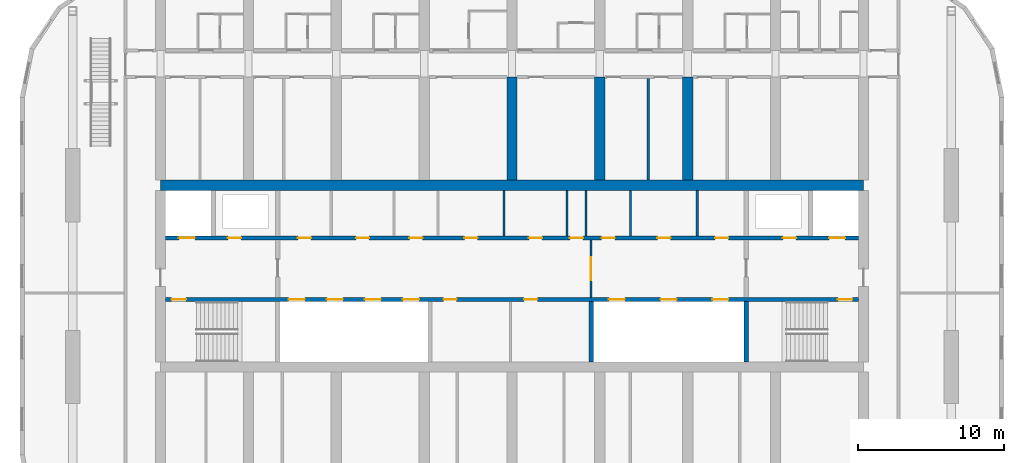
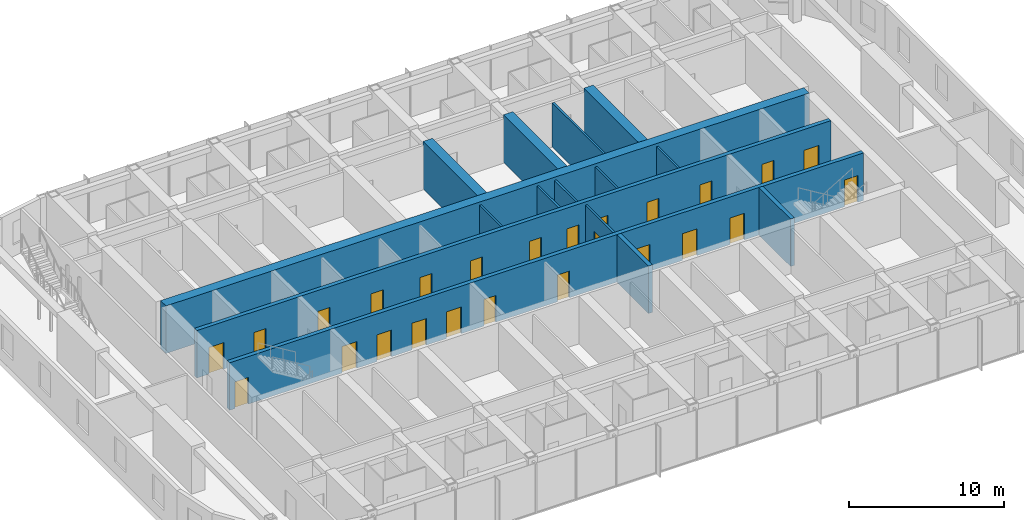
# One storey, part 16 of 27: 25 doors, 15 walls, 25 openings.
"""IFC4 building model written with IfcOpenShell, lengths in metres."""

from ifc_helpers import new_model, si_unit, direction, frame, frame_2d, origin, place, context, subcontext, project, spatial, rectangle, extrude, material, layer, layer_set, type_object, element, fill, save


model = new_model("IFC4")

# Units and contexts
model_context = context("Model", 3, precision=1e-05, world=origin(), true_north=direction((0.0, 1.0)))
body_context = subcontext(model_context, "Body", "Model", "MODEL_VIEW")
ifc_project = project(units=[si_unit("LENGTHUNIT", "METRE"), si_unit("AREAUNIT", "SQUARE_METRE"), si_unit("VOLUMEUNIT", "CUBIC_METRE"), si_unit("PLANEANGLEUNIT", "RADIAN"), si_unit("MASSUNIT", "GRAM", prefix="KILO")], contexts=[model_context])

# Site, building, storey
site_placement = place(None, origin())
site = spatial("IfcSite", under=ifc_project, at=site_placement, CompositionType="ELEMENT")
building_placement = place(site_placement, origin())
building = spatial("IfcBuilding", under=site, at=building_placement, Name="Orbita Commons", CompositionType="ELEMENT")
storey_placement = place(building_placement, frame((0.0, 0.0, 246.550048828125)))
storey = spatial("IfcBuildingStorey", under=building, at=storey_placement, Name="L61", CompositionType="ELEMENT", Elevation=246.550048828125)

# Wall, openings, doors
ifc_material_1 = material(Name="Concrete C50/60", Category="concrete")
ifc_layer_1 = layer(ifc_material_1, 0.300048828125)
ifc_layer_set_1 = layer_set([ifc_layer_1], Name="Concrete C50/60")
wall_type_1 = type_object("IfcWallType", Name="Core inner wall 300 C50/60", PredefinedType="SHEAR", material=ifc_layer_set_1)
wall_1_placement = place(storey_placement, frame((18.35009765625, 30.39990234375, 0.0), z_axis=(0.0, 0.0, 1.0), x_axis=(1.0, 0.0, 0.0)))
wall_1 = element("IfcWall", 1, at=wall_1_placement, inside=storey, type_object=wall_type_1, Name="Lobby wall south L61", PredefinedType="SHEAR", context=body_context, shape_type="SweptSolid", body=[
    extrude(rectangle(XDim=47.2998046875, YDim=0.300048828125, at=frame_2d((23.64990234375, 0.0))), origin(), (0.0, 0.0, 1.0), 3.75),
])
opening_1_placement = place(wall_1_placement, frame((0.39990234375, 0.0, 0.0)))
opening_1 = element("IfcOpeningElement", 2, at=opening_1_placement, cuts=wall_1, Name="Opening D02", PredefinedType="OPENING", context=body_context, shape_type="SweptSolid", body=[
    extrude(rectangle(XDim=1.0, YDim=2.10009765625, at=frame_2d((0.5, 1.050048828125))), frame((0.0, 0.159912109375, 0.0), z_axis=(0.0, -1.0, 0.0), x_axis=(1.0, 0.0, 0.0)), (0.0, 0.0, 1.0), 0.320068359375),
])
opening_2_placement = place(wall_1_placement, frame((45.89990234375, 0.0, 0.0)))
opening_2 = element("IfcOpeningElement", 3, at=opening_2_placement, cuts=wall_1, Name="Opening D02", PredefinedType="OPENING", context=body_context, shape_type="SweptSolid", body=[
    extrude(rectangle(XDim=1.0, YDim=2.10009765625, at=frame_2d((0.5, 1.050048828125))), frame((0.0, 0.159912109375, 0.0), z_axis=(0.0, -1.0, 0.0), x_axis=(1.0, 0.0, 0.0)), (0.0, 0.0, 1.0), 0.320068359375),
])
opening_3_placement = place(wall_1_placement, frame((8.39990234375, 0.0, 0.0)))
opening_3 = element("IfcOpeningElement", 4, at=opening_3_placement, cuts=wall_1, Name="Opening LD02", PredefinedType="OPENING", context=body_context, shape_type="SweptSolid", body=[
    extrude(rectangle(XDim=1.10009765625, YDim=2.10009765625, at=frame_2d((0.550048828125, 1.050048828125))), frame((0.0, 0.159912109375, 0.0), z_axis=(0.0, -1.0, 0.0), x_axis=(1.0, 0.0, 0.0)), (0.0, 0.0, 1.0), 0.320068359375),
])
opening_4_placement = place(wall_1_placement, frame((11.0, 0.0, 0.0)))
opening_4 = element("IfcOpeningElement", 5, at=opening_4_placement, cuts=wall_1, Name="Opening LD02", PredefinedType="OPENING", context=body_context, shape_type="SweptSolid", body=[
    extrude(rectangle(XDim=1.10009765625, YDim=2.10009765625, at=frame_2d((0.550048828125, 1.050048828125))), frame((0.0, 0.159912109375, 0.0), z_axis=(0.0, -1.0, 0.0), x_axis=(1.0, 0.0, 0.0)), (0.0, 0.0, 1.0), 0.320068359375),
])
opening_5_placement = place(wall_1_placement, frame((13.60009765625, 0.0, 0.0)))
opening_5 = element("IfcOpeningElement", 6, at=opening_5_placement, cuts=wall_1, Name="Opening LD02", PredefinedType="OPENING", context=body_context, shape_type="SweptSolid", body=[
    extrude(rectangle(XDim=1.10009765625, YDim=2.10009765625, at=frame_2d((0.550048828125, 1.050048828125))), frame((0.0, 0.159912109375, 0.0), z_axis=(0.0, -1.0, 0.0), x_axis=(1.0, 0.0, 0.0)), (0.0, 0.0, 1.0), 0.320068359375),
])
opening_6_placement = place(wall_1_placement, frame((16.199951171875, 0.0, 0.0)))
opening_6 = element("IfcOpeningElement", 7, at=opening_6_placement, cuts=wall_1, Name="Opening LD02", PredefinedType="OPENING", context=body_context, shape_type="SweptSolid", body=[
    extrude(rectangle(XDim=1.10009765625, YDim=2.10009765625, at=frame_2d((0.550048828125, 1.050048828125))), frame((0.0, 0.159912109375, 0.0), z_axis=(0.0, -1.0, 0.0), x_axis=(1.0, 0.0, 0.0)), (0.0, 0.0, 1.0), 0.320068359375),
])
opening_7_placement = place(wall_1_placement, frame((18.97509765625, 0.0, 0.0)))
opening_7 = element("IfcOpeningElement", 8, at=opening_7_placement, cuts=wall_1, Name="Opening D05", PredefinedType="OPENING", context=body_context, shape_type="SweptSolid", body=[
    extrude(rectangle(XDim=0.89990234375, YDim=2.10009765625, at=frame_2d((0.449951171875, 1.050048828125))), frame((0.0, 0.159912109375, 0.0), z_axis=(0.0, -1.0, 0.0), x_axis=(1.0, 0.0, 0.0)), (0.0, 0.0, 1.0), 0.320068359375),
])
opening_8_placement = place(wall_1_placement, frame((24.47509765625, 0.0, 0.0)))
opening_8 = element("IfcOpeningElement", 9, at=opening_8_placement, cuts=wall_1, Name="Opening D05", PredefinedType="OPENING", context=body_context, shape_type="SweptSolid", body=[
    extrude(rectangle(XDim=0.89990234375, YDim=2.10009765625, at=frame_2d((0.449951171875, 1.050048828125))), frame((0.0, 0.159912109375, 0.0), z_axis=(0.0, -1.0, 0.0), x_axis=(1.0, 0.0, 0.0)), (0.0, 0.0, 1.0), 0.320068359375),
])
opening_9_placement = place(wall_1_placement, frame((30.2666015625, 0.0, 0.0)))
opening_9 = element("IfcOpeningElement", 10, at=opening_9_placement, cuts=wall_1, Name="Opening LD02", PredefinedType="OPENING", context=body_context, shape_type="SweptSolid", body=[
    extrude(rectangle(XDim=1.10009765625, YDim=2.10009765625, at=frame_2d((0.550048828125, 1.050048828125))), frame((0.0, 0.159912109375, 0.0), z_axis=(0.0, -1.0, 0.0), x_axis=(1.0, 0.0, 0.0)), (0.0, 0.0, 1.0), 0.320068359375),
])
opening_10_placement = place(wall_1_placement, frame((33.800048828125, 0.0, 0.0)))
opening_10 = element("IfcOpeningElement", 11, at=opening_10_placement, cuts=wall_1, Name="Opening LD02", PredefinedType="OPENING", context=body_context, shape_type="SweptSolid", body=[
    extrude(rectangle(XDim=1.10009765625, YDim=2.10009765625, at=frame_2d((0.550048828125, 1.050048828125))), frame((0.0, 0.159912109375, 0.0), z_axis=(0.0, -1.0, 0.0), x_axis=(1.0, 0.0, 0.0)), (0.0, 0.0, 1.0), 0.320068359375),
])
opening_11_placement = place(wall_1_placement, frame((37.333251953125, 0.0, 0.0)))
opening_11 = element("IfcOpeningElement", 12, at=opening_11_placement, cuts=wall_1, Name="Opening LD02", PredefinedType="OPENING", context=body_context, shape_type="SweptSolid", body=[
    extrude(rectangle(XDim=1.10009765625, YDim=2.10009765625, at=frame_2d((0.550048828125, 1.050048828125))), frame((0.0, 0.159912109375, 0.0), z_axis=(0.0, -1.0, 0.0), x_axis=(1.0, 0.0, 0.0)), (0.0, 0.0, 1.0), 0.320068359375),
])
ifc_material_2 = material(Name="Steel-faced fire door leaf", Category="steel")
door_type_1 = type_object("IfcDoorType", Name="Fire door 90 min 1000x2100", OperationType="SINGLE_SWING_LEFT", PredefinedType="DOOR", material=ifc_material_2)
door_1_placement = place(opening_1_placement, origin())
door_1 = element("IfcDoor", 13, at=door_1_placement, inside=storey, type_object=door_type_1, Name="Stair S1 door", OperationType="SINGLE_SWING_LEFT", OverallHeight=2.10009765625, OverallWidth=1.0, PredefinedType="DOOR", context=body_context, shape_type="SweptSolid", body=[
    extrude(rectangle(XDim=1.0, YDim=2.10009765625, at=frame_2d((0.5, 1.050048828125))), frame((0.0, 0.02490234375, 0.0), z_axis=(0.0, -1.0, 0.0), x_axis=(1.0, 0.0, 0.0)), (0.0, 0.0, 1.0), 0.050048828125),
])
fill(opening_1, door_1)
door_2_placement = place(opening_2_placement, origin())
door_2 = element("IfcDoor", 14, at=door_2_placement, inside=storey, type_object=door_type_1, Name="Stair S2 door", OperationType="SINGLE_SWING_LEFT", OverallHeight=2.10009765625, OverallWidth=1.0, PredefinedType="DOOR", context=body_context, shape_type="SweptSolid", body=[
    extrude(rectangle(XDim=1.0, YDim=2.10009765625, at=frame_2d((0.5, 1.050048828125))), frame((0.0, 0.02490234375, 0.0), z_axis=(0.0, -1.0, 0.0), x_axis=(1.0, 0.0, 0.0)), (0.0, 0.0, 1.0), 0.050048828125),
])
fill(opening_2, door_2)
ifc_material_3 = material(Name="Steel-faced fire door leaf", Category="steel")
door_type_2 = type_object("IfcDoorType", Name="Lift landing door 1100x2100", OperationType="DOUBLE_DOOR_SLIDING", PredefinedType="DOOR", material=ifc_material_3)
door_3_placement = place(opening_3_placement, origin())
door_3 = element("IfcDoor", 15, at=door_3_placement, inside=storey, type_object=door_type_2, Name="Lift P41 landing door", OperationType="DOUBLE_DOOR_SLIDING", OverallHeight=2.10009765625, OverallWidth=1.10009765625, PredefinedType="DOOR", context=body_context, shape_type="SweptSolid", body=[
    extrude(rectangle(XDim=1.10009765625, YDim=2.10009765625, at=frame_2d((0.550048828125, 1.050048828125))), frame((0.0, 0.02490234375, 0.0), z_axis=(0.0, -1.0, 0.0), x_axis=(1.0, 0.0, 0.0)), (0.0, 0.0, 1.0), 0.050048828125),
])
fill(opening_3, door_3)
door_4_placement = place(opening_4_placement, origin())
door_4 = element("IfcDoor", 16, at=door_4_placement, inside=storey, type_object=door_type_2, Name="Lift P42 landing door", OperationType="DOUBLE_DOOR_SLIDING", OverallHeight=2.10009765625, OverallWidth=1.10009765625, PredefinedType="DOOR", context=body_context, shape_type="SweptSolid", body=[
    extrude(rectangle(XDim=1.10009765625, YDim=2.10009765625, at=frame_2d((0.550048828125, 1.050048828125))), frame((0.0, 0.02490234375, 0.0), z_axis=(0.0, -1.0, 0.0), x_axis=(1.0, 0.0, 0.0)), (0.0, 0.0, 1.0), 0.050048828125),
])
fill(opening_4, door_4)
door_5_placement = place(opening_5_placement, origin())
door_5 = element("IfcDoor", 17, at=door_5_placement, inside=storey, type_object=door_type_2, Name="Lift P43 landing door", OperationType="DOUBLE_DOOR_SLIDING", OverallHeight=2.10009765625, OverallWidth=1.10009765625, PredefinedType="DOOR", context=body_context, shape_type="SweptSolid", body=[
    extrude(rectangle(XDim=1.10009765625, YDim=2.10009765625, at=frame_2d((0.550048828125, 1.050048828125))), frame((0.0, 0.02490234375, 0.0), z_axis=(0.0, -1.0, 0.0), x_axis=(1.0, 0.0, 0.0)), (0.0, 0.0, 1.0), 0.050048828125),
])
fill(opening_5, door_5)
door_6_placement = place(opening_6_placement, origin())
door_6 = element("IfcDoor", 18, at=door_6_placement, inside=storey, type_object=door_type_2, Name="Lift P44 landing door", OperationType="DOUBLE_DOOR_SLIDING", OverallHeight=2.10009765625, OverallWidth=1.10009765625, PredefinedType="DOOR", context=body_context, shape_type="SweptSolid", body=[
    extrude(rectangle(XDim=1.10009765625, YDim=2.10009765625, at=frame_2d((0.550048828125, 1.050048828125))), frame((0.0, 0.02490234375, 0.0), z_axis=(0.0, -1.0, 0.0), x_axis=(1.0, 0.0, 0.0)), (0.0, 0.0, 1.0), 0.050048828125),
])
fill(opening_6, door_6)
door_7_placement = place(opening_9_placement, origin())
door_7 = element("IfcDoor", 19, at=door_7_placement, inside=storey, type_object=door_type_2, Name="Lift SV1 landing door", OperationType="DOUBLE_DOOR_SLIDING", OverallHeight=2.10009765625, OverallWidth=1.10009765625, PredefinedType="DOOR", context=body_context, shape_type="SweptSolid", body=[
    extrude(rectangle(XDim=1.10009765625, YDim=2.10009765625, at=frame_2d((0.550048828125, 1.050048828125))), frame((0.0, 0.02490234375, 0.0), z_axis=(0.0, -1.0, 0.0), x_axis=(1.0, 0.0, 0.0)), (0.0, 0.0, 1.0), 0.050048828125),
])
fill(opening_9, door_7)
door_8_placement = place(opening_10_placement, origin())
door_8 = element("IfcDoor", 20, at=door_8_placement, inside=storey, type_object=door_type_2, Name="Lift SV2 landing door", OperationType="DOUBLE_DOOR_SLIDING", OverallHeight=2.10009765625, OverallWidth=1.10009765625, PredefinedType="DOOR", context=body_context, shape_type="SweptSolid", body=[
    extrude(rectangle(XDim=1.10009765625, YDim=2.10009765625, at=frame_2d((0.550048828125, 1.050048828125))), frame((0.0, 0.02490234375, 0.0), z_axis=(0.0, -1.0, 0.0), x_axis=(1.0, 0.0, 0.0)), (0.0, 0.0, 1.0), 0.050048828125),
])
fill(opening_10, door_8)
door_9_placement = place(opening_11_placement, origin())
door_9 = element("IfcDoor", 21, at=door_9_placement, inside=storey, type_object=door_type_2, Name="Lift SV3 landing door", OperationType="DOUBLE_DOOR_SLIDING", OverallHeight=2.10009765625, OverallWidth=1.10009765625, PredefinedType="DOOR", context=body_context, shape_type="SweptSolid", body=[
    extrude(rectangle(XDim=1.10009765625, YDim=2.10009765625, at=frame_2d((0.550048828125, 1.050048828125))), frame((0.0, 0.02490234375, 0.0), z_axis=(0.0, -1.0, 0.0), x_axis=(1.0, 0.0, 0.0)), (0.0, 0.0, 1.0), 0.050048828125),
])
fill(opening_11, door_9)
ifc_material_4 = material(Name="Steel-faced fire door leaf", Category="steel")
door_type_3 = type_object("IfcDoorType", Name="Service door 20 min 900x2100", OperationType="SINGLE_SWING_LEFT", PredefinedType="DOOR", material=ifc_material_4)
door_10_placement = place(opening_7_placement, origin())
door_10 = element("IfcDoor", 22, at=door_10_placement, inside=storey, type_object=door_type_3, Name="Equipment store door", OperationType="SINGLE_SWING_LEFT", OverallHeight=2.10009765625, OverallWidth=0.89990234375, PredefinedType="DOOR", context=body_context, shape_type="SweptSolid", body=[
    extrude(rectangle(XDim=0.89990234375, YDim=2.10009765625, at=frame_2d((0.449951171875, 1.050048828125))), frame((0.0, 0.02490234375, 0.0), z_axis=(0.0, -1.0, 0.0), x_axis=(1.0, 0.0, 0.0)), (0.0, 0.0, 1.0), 0.050048828125),
])
fill(opening_7, door_10)
door_11_placement = place(opening_8_placement, origin())
door_11 = element("IfcDoor", 23, at=door_11_placement, inside=storey, type_object=door_type_3, Name="IT room door", OperationType="SINGLE_SWING_LEFT", OverallHeight=2.10009765625, OverallWidth=0.89990234375, PredefinedType="DOOR", context=body_context, shape_type="SweptSolid", body=[
    extrude(rectangle(XDim=0.89990234375, YDim=2.10009765625, at=frame_2d((0.449951171875, 1.050048828125))), frame((0.0, 0.02490234375, 0.0), z_axis=(0.0, -1.0, 0.0), x_axis=(1.0, 0.0, 0.0)), (0.0, 0.0, 1.0), 0.050048828125),
])
fill(opening_8, door_11)

wall_2_placement = place(storey_placement, frame((18.35009765625, 34.60009765625, 0.0), z_axis=(0.0, 0.0, 1.0), x_axis=(1.0, 0.0, 0.0)))
wall_2 = element("IfcWall", 24, at=wall_2_placement, inside=storey, type_object=wall_type_1, Name="Lobby wall north L61", PredefinedType="SHEAR", context=body_context, shape_type="SweptSolid", body=[
    extrude(rectangle(XDim=47.2998046875, YDim=0.300048828125, at=frame_2d((23.64990234375, 0.0))), origin(), (0.0, 0.0, 1.0), 3.75),
])
opening_12_placement = place(wall_2_placement, frame((0.89990234375, 0.0, 0.0)))
opening_12 = element("IfcOpeningElement", 25, at=opening_12_placement, cuts=wall_2, Name="Opening LD01", PredefinedType="OPENING", context=body_context, shape_type="SweptSolid", body=[
    extrude(rectangle(XDim=1.10009765625, YDim=2.10009765625, at=frame_2d((0.550048828125, 1.050048828125))), frame((0.0, 0.159912109375, 0.0), z_axis=(0.0, -1.0, 0.0), x_axis=(1.0, 0.0, 0.0)), (0.0, 0.0, 1.0), 0.320068359375),
])
opening_13_placement = place(wall_2_placement, frame((45.300048828125, 0.0, 0.0)))
opening_13 = element("IfcOpeningElement", 26, at=opening_13_placement, cuts=wall_2, Name="Opening LD01", PredefinedType="OPENING", context=body_context, shape_type="SweptSolid", body=[
    extrude(rectangle(XDim=1.10009765625, YDim=2.10009765625, at=frame_2d((0.550048828125, 1.050048828125))), frame((0.0, 0.159912109375, 0.0), z_axis=(0.0, -1.0, 0.0), x_axis=(1.0, 0.0, 0.0)), (0.0, 0.0, 1.0), 0.320068359375),
])
opening_14_placement = place(wall_2_placement, frame((4.25, 0.0, 0.0)))
opening_14 = element("IfcOpeningElement", 27, at=opening_14_placement, cuts=wall_2, Name="Opening D03", PredefinedType="OPENING", context=body_context, shape_type="SweptSolid", body=[
    extrude(rectangle(XDim=0.89990234375, YDim=2.10009765625, at=frame_2d((0.449951171875, 1.050048828125))), frame((0.0, 0.159912109375, 0.0), z_axis=(0.0, -1.0, 0.0), x_axis=(1.0, 0.0, 0.0)), (0.0, 0.0, 1.0), 0.320068359375),
])
opening_15_placement = place(wall_2_placement, frame((42.14990234375, 0.0, 0.0)))
opening_15 = element("IfcOpeningElement", 28, at=opening_15_placement, cuts=wall_2, Name="Opening D03", PredefinedType="OPENING", context=body_context, shape_type="SweptSolid", body=[
    extrude(rectangle(XDim=0.89990234375, YDim=2.10009765625, at=frame_2d((0.449951171875, 1.050048828125))), frame((0.0, 0.159912109375, 0.0), z_axis=(0.0, -1.0, 0.0), x_axis=(1.0, 0.0, 0.0)), (0.0, 0.0, 1.0), 0.320068359375),
])
opening_16_placement = place(wall_2_placement, frame((9.025390625, 0.0, 0.0)))
opening_16 = element("IfcOpeningElement", 29, at=opening_16_placement, cuts=wall_2, Name="Opening D03", PredefinedType="OPENING", context=body_context, shape_type="SweptSolid", body=[
    extrude(rectangle(XDim=0.89990234375, YDim=2.10009765625, at=frame_2d((0.449951171875, 1.050048828125))), frame((0.0, 0.159912109375, 0.0), z_axis=(0.0, -1.0, 0.0), x_axis=(1.0, 0.0, 0.0)), (0.0, 0.0, 1.0), 0.320068359375),
])
opening_17_placement = place(wall_2_placement, frame((12.998779296875, 0.0, 0.0)))
opening_17 = element("IfcOpeningElement", 30, at=opening_17_placement, cuts=wall_2, Name="Opening D03", PredefinedType="OPENING", context=body_context, shape_type="SweptSolid", body=[
    extrude(rectangle(XDim=0.89990234375, YDim=2.10009765625, at=frame_2d((0.449951171875, 1.050048828125))), frame((0.0, 0.159912109375, 0.0), z_axis=(0.0, -1.0, 0.0), x_axis=(1.0, 0.0, 0.0)), (0.0, 0.0, 1.0), 0.320068359375),
])
opening_18_placement = place(wall_2_placement, frame((16.646240234375, 0.0, 0.0)))
opening_18 = element("IfcOpeningElement", 31, at=opening_18_placement, cuts=wall_2, Name="Opening D03", PredefinedType="OPENING", context=body_context, shape_type="SweptSolid", body=[
    extrude(rectangle(XDim=0.89990234375, YDim=2.10009765625, at=frame_2d((0.449951171875, 1.050048828125))), frame((0.0, 0.159912109375, 0.0), z_axis=(0.0, -1.0, 0.0), x_axis=(1.0, 0.0, 0.0)), (0.0, 0.0, 1.0), 0.320068359375),
])
opening_19_placement = place(wall_2_placement, frame((20.40478515625, 0.0, 0.0)))
opening_19 = element("IfcOpeningElement", 32, at=opening_19_placement, cuts=wall_2, Name="Opening D05", PredefinedType="OPENING", context=body_context, shape_type="SweptSolid", body=[
    extrude(rectangle(XDim=0.89990234375, YDim=2.10009765625, at=frame_2d((0.449951171875, 1.050048828125))), frame((0.0, 0.159912109375, 0.0), z_axis=(0.0, -1.0, 0.0), x_axis=(1.0, 0.0, 0.0)), (0.0, 0.0, 1.0), 0.320068359375),
])
opening_20_placement = place(wall_2_placement, frame((24.810791015625, 0.0, 0.0)))
opening_20 = element("IfcOpeningElement", 33, at=opening_20_placement, cuts=wall_2, Name="Opening D03", PredefinedType="OPENING", context=body_context, shape_type="SweptSolid", body=[
    extrude(rectangle(XDim=0.89990234375, YDim=2.10009765625, at=frame_2d((0.449951171875, 1.050048828125))), frame((0.0, 0.159912109375, 0.0), z_axis=(0.0, -1.0, 0.0), x_axis=(1.0, 0.0, 0.0)), (0.0, 0.0, 1.0), 0.320068359375),
])
opening_21_placement = place(wall_2_placement, frame((27.6083984375, 0.0, 0.0)))
opening_21 = element("IfcOpeningElement", 34, at=opening_21_placement, cuts=wall_2, Name="Opening D03", PredefinedType="OPENING", context=body_context, shape_type="SweptSolid", body=[
    extrude(rectangle(XDim=0.89990234375, YDim=2.10009765625, at=frame_2d((0.449951171875, 1.050048828125))), frame((0.0, 0.159912109375, 0.0), z_axis=(0.0, -1.0, 0.0), x_axis=(1.0, 0.0, 0.0)), (0.0, 0.0, 1.0), 0.320068359375),
])
opening_22_placement = place(wall_2_placement, frame((29.778076171875, 0.0, 0.0)))
opening_22 = element("IfcOpeningElement", 35, at=opening_22_placement, cuts=wall_2, Name="Opening D05", PredefinedType="OPENING", context=body_context, shape_type="SweptSolid", body=[
    extrude(rectangle(XDim=0.89990234375, YDim=2.10009765625, at=frame_2d((0.449951171875, 1.050048828125))), frame((0.0, 0.159912109375, 0.0), z_axis=(0.0, -1.0, 0.0), x_axis=(1.0, 0.0, 0.0)), (0.0, 0.0, 1.0), 0.320068359375),
])
opening_23_placement = place(wall_2_placement, frame((33.5771484375, 0.0, 0.0)))
opening_23 = element("IfcOpeningElement", 36, at=opening_23_placement, cuts=wall_2, Name="Opening D05", PredefinedType="OPENING", context=body_context, shape_type="SweptSolid", body=[
    extrude(rectangle(XDim=0.89990234375, YDim=2.10009765625, at=frame_2d((0.449951171875, 1.050048828125))), frame((0.0, 0.159912109375, 0.0), z_axis=(0.0, -1.0, 0.0), x_axis=(1.0, 0.0, 0.0)), (0.0, 0.0, 1.0), 0.320068359375),
])
opening_24_placement = place(wall_2_placement, frame((37.5283203125, 0.0, 0.0)))
opening_24 = element("IfcOpeningElement", 37, at=opening_24_placement, cuts=wall_2, Name="Opening D03", PredefinedType="OPENING", context=body_context, shape_type="SweptSolid", body=[
    extrude(rectangle(XDim=0.89990234375, YDim=2.10009765625, at=frame_2d((0.449951171875, 1.050048828125))), frame((0.0, 0.159912109375, 0.0), z_axis=(0.0, -1.0, 0.0), x_axis=(1.0, 0.0, 0.0)), (0.0, 0.0, 1.0), 0.320068359375),
])
ifc_material_5 = material(Name="Steel-faced fire door leaf", Category="steel")
door_type_4 = type_object("IfcDoorType", Name="Firefighting lift landing door 1100x2100", OperationType="DOUBLE_DOOR_SLIDING", PredefinedType="DOOR", material=ifc_material_5)
door_12_placement = place(opening_12_placement, origin())
door_12 = element("IfcDoor", 38, at=door_12_placement, inside=storey, type_object=door_type_4, Name="Firefighting lift FL1 landing door", OperationType="DOUBLE_DOOR_SLIDING", OverallHeight=2.10009765625, OverallWidth=1.10009765625, PredefinedType="DOOR", context=body_context, shape_type="SweptSolid", body=[
    extrude(rectangle(XDim=1.10009765625, YDim=2.10009765625, at=frame_2d((0.550048828125, 1.050048828125))), frame((0.0, 0.02490234375, 0.0), z_axis=(0.0, -1.0, 0.0), x_axis=(1.0, 0.0, 0.0)), (0.0, 0.0, 1.0), 0.050048828125),
])
fill(opening_12, door_12)
door_13_placement = place(opening_13_placement, origin())
door_13 = element("IfcDoor", 39, at=door_13_placement, inside=storey, type_object=door_type_4, Name="Firefighting lift FL2 landing door", OperationType="DOUBLE_DOOR_SLIDING", OverallHeight=2.10009765625, OverallWidth=1.10009765625, PredefinedType="DOOR", context=body_context, shape_type="SweptSolid", body=[
    extrude(rectangle(XDim=1.10009765625, YDim=2.10009765625, at=frame_2d((0.550048828125, 1.050048828125))), frame((0.0, 0.02490234375, 0.0), z_axis=(0.0, -1.0, 0.0), x_axis=(1.0, 0.0, 0.0)), (0.0, 0.0, 1.0), 0.050048828125),
])
fill(opening_13, door_13)
door_14_placement = place(opening_19_placement, origin())
door_14 = element("IfcDoor", 40, at=door_14_placement, inside=storey, type_object=door_type_3, Name="Accessible WC door", OperationType="SINGLE_SWING_LEFT", OverallHeight=2.10009765625, OverallWidth=0.89990234375, PredefinedType="DOOR", context=body_context, shape_type="SweptSolid", body=[
    extrude(rectangle(XDim=0.89990234375, YDim=2.10009765625, at=frame_2d((0.449951171875, 1.050048828125))), frame((0.0, 0.02490234375, 0.0), z_axis=(0.0, -1.0, 0.0), x_axis=(1.0, 0.0, 0.0)), (0.0, 0.0, 1.0), 0.050048828125),
])
fill(opening_19, door_14)
door_15_placement = place(opening_22_placement, origin())
door_15 = element("IfcDoor", 41, at=door_15_placement, inside=storey, type_object=door_type_3, Name="Staff WC door", OperationType="SINGLE_SWING_LEFT", OverallHeight=2.10009765625, OverallWidth=0.89990234375, PredefinedType="DOOR", context=body_context, shape_type="SweptSolid", body=[
    extrude(rectangle(XDim=0.89990234375, YDim=2.10009765625, at=frame_2d((0.449951171875, 1.050048828125))), frame((0.0, 0.02490234375, 0.0), z_axis=(0.0, -1.0, 0.0), x_axis=(1.0, 0.0, 0.0)), (0.0, 0.0, 1.0), 0.050048828125),
])
fill(opening_22, door_15)
door_16_placement = place(opening_23_placement, origin())
door_16 = element("IfcDoor", 42, at=door_16_placement, inside=storey, type_object=door_type_3, Name="Vending and ice room door", OperationType="SINGLE_SWING_LEFT", OverallHeight=2.10009765625, OverallWidth=0.89990234375, PredefinedType="DOOR", context=body_context, shape_type="SweptSolid", body=[
    extrude(rectangle(XDim=0.89990234375, YDim=2.10009765625, at=frame_2d((0.449951171875, 1.050048828125))), frame((0.0, 0.02490234375, 0.0), z_axis=(0.0, -1.0, 0.0), x_axis=(1.0, 0.0, 0.0)), (0.0, 0.0, 1.0), 0.050048828125),
])
fill(opening_23, door_16)
ifc_material_6 = material(Name="Steel-faced fire door leaf", Category="steel")
door_type_5 = type_object("IfcDoorType", Name="Shaft access door 90 min 900x2100", OperationType="SINGLE_SWING_LEFT", PredefinedType="DOOR", material=ifc_material_6)
door_17_placement = place(opening_14_placement, origin())
door_17 = element("IfcDoor", 43, at=door_17_placement, inside=storey, type_object=door_type_5, Name="Riser door west", OperationType="SINGLE_SWING_LEFT", OverallHeight=2.10009765625, OverallWidth=0.89990234375, PredefinedType="DOOR", context=body_context, shape_type="SweptSolid", body=[
    extrude(rectangle(XDim=0.89990234375, YDim=2.10009765625, at=frame_2d((0.449951171875, 1.050048828125))), frame((0.0, 0.02490234375, 0.0), z_axis=(0.0, -1.0, 0.0), x_axis=(1.0, 0.0, 0.0)), (0.0, 0.0, 1.0), 0.050048828125),
])
fill(opening_14, door_17)
door_18_placement = place(opening_15_placement, origin())
door_18 = element("IfcDoor", 44, at=door_18_placement, inside=storey, type_object=door_type_5, Name="Riser door east", OperationType="SINGLE_SWING_LEFT", OverallHeight=2.10009765625, OverallWidth=0.89990234375, PredefinedType="DOOR", context=body_context, shape_type="SweptSolid", body=[
    extrude(rectangle(XDim=0.89990234375, YDim=2.10009765625, at=frame_2d((0.449951171875, 1.050048828125))), frame((0.0, 0.02490234375, 0.0), z_axis=(0.0, -1.0, 0.0), x_axis=(1.0, 0.0, 0.0)), (0.0, 0.0, 1.0), 0.050048828125),
])
fill(opening_15, door_18)
door_19_placement = place(opening_16_placement, origin())
door_19 = element("IfcDoor", 45, at=door_19_placement, inside=storey, type_object=door_type_5, Name="Cleaners store door", OperationType="SINGLE_SWING_LEFT", OverallHeight=2.10009765625, OverallWidth=0.89990234375, PredefinedType="DOOR", context=body_context, shape_type="SweptSolid", body=[
    extrude(rectangle(XDim=0.89990234375, YDim=2.10009765625, at=frame_2d((0.449951171875, 1.050048828125))), frame((0.0, 0.02490234375, 0.0), z_axis=(0.0, -1.0, 0.0), x_axis=(1.0, 0.0, 0.0)), (0.0, 0.0, 1.0), 0.050048828125),
])
fill(opening_16, door_19)
door_20_placement = place(opening_17_placement, origin())
door_20 = element("IfcDoor", 46, at=door_20_placement, inside=storey, type_object=door_type_5, Name="Refuse chute room door", OperationType="SINGLE_SWING_LEFT", OverallHeight=2.10009765625, OverallWidth=0.89990234375, PredefinedType="DOOR", context=body_context, shape_type="SweptSolid", body=[
    extrude(rectangle(XDim=0.89990234375, YDim=2.10009765625, at=frame_2d((0.449951171875, 1.050048828125))), frame((0.0, 0.02490234375, 0.0), z_axis=(0.0, -1.0, 0.0), x_axis=(1.0, 0.0, 0.0)), (0.0, 0.0, 1.0), 0.050048828125),
])
fill(opening_17, door_20)
door_21_placement = place(opening_18_placement, origin())
door_21 = element("IfcDoor", 47, at=door_21_placement, inside=storey, type_object=door_type_5, Name="Electrical riser room door", OperationType="SINGLE_SWING_LEFT", OverallHeight=2.10009765625, OverallWidth=0.89990234375, PredefinedType="DOOR", context=body_context, shape_type="SweptSolid", body=[
    extrude(rectangle(XDim=0.89990234375, YDim=2.10009765625, at=frame_2d((0.449951171875, 1.050048828125))), frame((0.0, 0.02490234375, 0.0), z_axis=(0.0, -1.0, 0.0), x_axis=(1.0, 0.0, 0.0)), (0.0, 0.0, 1.0), 0.050048828125),
])
fill(opening_18, door_21)
door_22_placement = place(opening_20_placement, origin())
door_22 = element("IfcDoor", 48, at=door_22_placement, inside=storey, type_object=door_type_5, Name="Communications room door", OperationType="SINGLE_SWING_LEFT", OverallHeight=2.10009765625, OverallWidth=0.89990234375, PredefinedType="DOOR", context=body_context, shape_type="SweptSolid", body=[
    extrude(rectangle(XDim=0.89990234375, YDim=2.10009765625, at=frame_2d((0.449951171875, 1.050048828125))), frame((0.0, 0.02490234375, 0.0), z_axis=(0.0, -1.0, 0.0), x_axis=(1.0, 0.0, 0.0)), (0.0, 0.0, 1.0), 0.050048828125),
])
fill(opening_20, door_22)
door_23_placement = place(opening_21_placement, origin())
door_23 = element("IfcDoor", 49, at=door_23_placement, inside=storey, type_object=door_type_5, Name="Stair pressurisation duct door", OperationType="SINGLE_SWING_LEFT", OverallHeight=2.10009765625, OverallWidth=0.89990234375, PredefinedType="DOOR", context=body_context, shape_type="SweptSolid", body=[
    extrude(rectangle(XDim=0.89990234375, YDim=2.10009765625, at=frame_2d((0.449951171875, 1.050048828125))), frame((0.0, 0.02490234375, 0.0), z_axis=(0.0, -1.0, 0.0), x_axis=(1.0, 0.0, 0.0)), (0.0, 0.0, 1.0), 0.050048828125),
])
fill(opening_21, door_23)
door_24_placement = place(opening_24_placement, origin())
door_24 = element("IfcDoor", 50, at=door_24_placement, inside=storey, type_object=door_type_5, Name="Housekeeping store door", OperationType="SINGLE_SWING_LEFT", OverallHeight=2.10009765625, OverallWidth=0.89990234375, PredefinedType="DOOR", context=body_context, shape_type="SweptSolid", body=[
    extrude(rectangle(XDim=0.89990234375, YDim=2.10009765625, at=frame_2d((0.449951171875, 1.050048828125))), frame((0.0, 0.02490234375, 0.0), z_axis=(0.0, -1.0, 0.0), x_axis=(1.0, 0.0, 0.0)), (0.0, 0.0, 1.0), 0.050048828125),
])
fill(opening_24, door_24)

# Walls
for number, where, z_axis, x_axis, name in (
    (51, (58.0, 26.14990234375, 0.0), (0.0, 0.0, 1.0), (0.0, 1.0, 0.0), "Stair S2 wall L61"),
    (52, (47.39990234375, 26.14990234375, 0.0), (0.0, 0.0, 1.0), (0.0, 1.0, 0.0), "Hoistway division wall L61"),
):
    element("IfcWall", number, at=place(storey_placement, frame(where, z_axis=z_axis, x_axis=x_axis)), inside=storey, type_object=wall_type_1, Name=name, PredefinedType="SHEAR", context=body_context, shape_type="SweptSolid", body=[
        extrude(rectangle(XDim=4.10009765625, YDim=0.300048828125, at=frame_2d((2.050048828125, 0.0))), origin(), (0.0, 0.0, 1.0), 3.75),
    ])

# Wall, opening, door
ifc_material_7 = material(Name="Concrete blockwork", Category="masonry")
ifc_layer_2 = layer(ifc_material_7, 0.14990234375)
ifc_layer_set_2 = layer_set([ifc_layer_2], Name="Concrete blockwork")
wall_type_2 = type_object("IfcWallType", Name="Core partition 150 blockwork", PredefinedType="SOLIDWALL", material=ifc_layer_set_2)
wall_3_placement = place(storey_placement, frame((47.39990234375, 30.550048828125, 0.0), z_axis=(0.0, 0.0, 1.0), x_axis=(0.0, 1.0, 0.0)))
wall_3 = element("IfcWall", 53, at=wall_3_placement, inside=storey, type_object=wall_type_2, Name="Core partition 150 blockwork L61", PredefinedType="SOLIDWALL", context=body_context, shape_type="SweptSolid", body=[
    extrude(rectangle(XDim=3.89990234375, YDim=0.14990234375, at=frame_2d((1.949951171875, 0.0))), origin(), (0.0, 0.0, 1.0), 3.5),
])
opening_25_placement = place(wall_3_placement, frame((1.14990234375, 0.0, 0.0)))
opening_25 = element("IfcOpeningElement", 54, at=opening_25_placement, cuts=wall_3, Name="Opening D10", PredefinedType="OPENING", context=body_context, shape_type="SweptSolid", body=[
    extrude(rectangle(XDim=1.60009765625, YDim=2.10009765625, at=frame_2d((0.800048828125, 1.050048828125))), frame((0.0, 0.0849609375, 0.0), z_axis=(0.0, -1.0, 0.0), x_axis=(1.0, 0.0, 0.0)), (0.0, 0.0, 1.0), 0.169921875),
])
ifc_material_8 = material(Name="Steel-faced fire door leaf", Category="steel")
door_type_6 = type_object("IfcDoorType", Name="Double corridor door 20 min 1600x2100", OperationType="DOUBLE_DOOR_SINGLE_SWING", PredefinedType="DOOR", material=ifc_material_8)
door_25_placement = place(opening_25_placement, origin())
door_25 = element("IfcDoor", 55, at=door_25_placement, inside=storey, type_object=door_type_6, Name="Lift lobby screen doors", OperationType="DOUBLE_DOOR_SINGLE_SWING", OverallHeight=2.10009765625, OverallWidth=1.60009765625, PredefinedType="DOOR", context=body_context, shape_type="SweptSolid", body=[
    extrude(rectangle(XDim=1.60009765625, YDim=2.10009765625, at=frame_2d((0.800048828125, 1.050048828125))), frame((0.0, 0.02490234375, 0.0), z_axis=(0.0, -1.0, 0.0), x_axis=(1.0, 0.0, 0.0)), (0.0, 0.0, 1.0), 0.050048828125),
])
fill(opening_25, door_25)

# Walls
for number, where, z_axis, x_axis, name in (
    (56, (41.463134765625, 34.75, 0.0), (0.0, 0.0, 1.0), (0.0, 1.0, 0.0), "Core partition 150 blockwork L61"),
    (57, (45.75830078125, 34.75, 0.0), (0.0, 0.0, 1.0), (0.0, 1.0, 0.0), "Core partition 150 blockwork L61"),
    (58, (47.058349609375, 34.75, 0.0), (0.0, 0.0, 1.0), (0.0, 1.0, 0.0), "Core partition 150 blockwork L61"),
    (59, (50.09765625, 34.75, 0.0), (0.0, 0.0, 1.0), (0.0, 1.0, 0.0), "Core partition 150 blockwork L61"),
    (60, (54.65673828125, 34.75, 0.0), (0.0, 0.0, 1.0), (0.0, 1.0, 0.0), "Core partition 150 blockwork L61"),
):
    element("IfcWall", number, at=place(storey_placement, frame(where, z_axis=z_axis, x_axis=x_axis)), inside=storey, type_object=wall_type_2, Name=name, PredefinedType="SOLIDWALL", context=body_context, shape_type="SweptSolid", body=[
        extrude(rectangle(XDim=3.10009765625, YDim=0.14990234375, at=frame_2d((1.550048828125, 0.0))), origin(), (0.0, 0.0, 1.0), 3.5),
    ])
ifc_material_9 = material(Name="Concrete C50/60", Category="concrete")
ifc_layer_3 = layer(ifc_material_9, 0.699951171875)
ifc_layer_set_3 = layer_set([ifc_layer_3], Name="Concrete C50/60")
wall_type_3 = type_object("IfcWallType", Name="Core wall 700 C50/60", PredefinedType="SHEAR", material=ifc_layer_set_3)
wall_4_placement = place(storey_placement, frame((18.0, 38.199951171875, 0.0), z_axis=(0.0, 0.0, 1.0), x_axis=(1.0, 0.0, 0.0)))
element("IfcWall", 61, at=wall_4_placement, inside=storey, type_object=wall_type_3, Name="Core spine wall north L61", PredefinedType="SHEAR", context=body_context, shape_type="SweptSolid", body=[
    extrude(rectangle(XDim=48.0, YDim=0.699951171875, at=frame_2d((24.0, 0.0))), origin(), (0.0, 0.0, 1.0), 3.75),
])
ifc_material_10 = material(Name="Concrete C50/60", Category="concrete")
ifc_layer_4 = layer(ifc_material_10, 0.699951171875)
ifc_layer_set_4 = layer_set([ifc_layer_4], Name="Concrete C50/60")
wall_type_4 = type_object("IfcWallType", Name="Cross wall 700 C50/60", PredefinedType="SHEAR", material=ifc_layer_set_4)
for number, where, z_axis, x_axis, name in (
    (62, (42.0, 38.550048828125, 0.0), (0.0, 0.0, 1.0), (0.0, 1.0, 0.0), "Cross wall 8 north inner L61"),
    (63, (48.0, 38.550048828125, 0.0), (0.0, 0.0, 1.0), (0.0, 1.0, 0.0), "Cross wall 9 north inner L61"),
    (64, (54.0, 38.550048828125, 0.0), (0.0, 0.0, 1.0), (0.0, 1.0, 0.0), "Cross wall 10 north inner L61"),
):
    element("IfcWall", number, at=place(storey_placement, frame(where, z_axis=z_axis, x_axis=x_axis)), inside=storey, type_object=wall_type_4, Name=name, PredefinedType="SHEAR", context=body_context, shape_type="SweptSolid", body=[
        extrude(rectangle(XDim=7.050048828125, YDim=0.699951171875, at=frame_2d((3.52490234375, 0.0))), origin(), (0.0, 0.0, 1.0), 3.75),
    ])
ifc_material_11 = material(Name="Gypsum plasterboard on steel studs", Category="steel")
ifc_layer_5 = layer(ifc_material_11, 0.14990234375)
ifc_layer_set_5 = layer_set([ifc_layer_5], Name="Gypsum plasterboard on steel studs")
wall_type_5 = type_object("IfcWallType", Name="Partition 150 plasterboard", PredefinedType="PARTITIONING", material=ifc_layer_set_5)
wall_5_placement = place(storey_placement, frame((51.31005859375, 38.550048828125, 0.0), z_axis=(0.0, 0.0, 1.0), x_axis=(0.0, 1.0, 0.0)))
element("IfcWall", 65, at=wall_5_placement, inside=storey, type_object=wall_type_5, Name="Partition 150 plasterboard L61", PredefinedType="PARTITIONING", context=body_context, shape_type="SweptSolid", body=[
    extrude(rectangle(XDim=6.949951171875, YDim=0.14990234375, at=frame_2d((3.47509765625, 0.0))), origin(), (0.0, 0.0, 1.0), 3.5),
])

save(model, "model.ifc")
